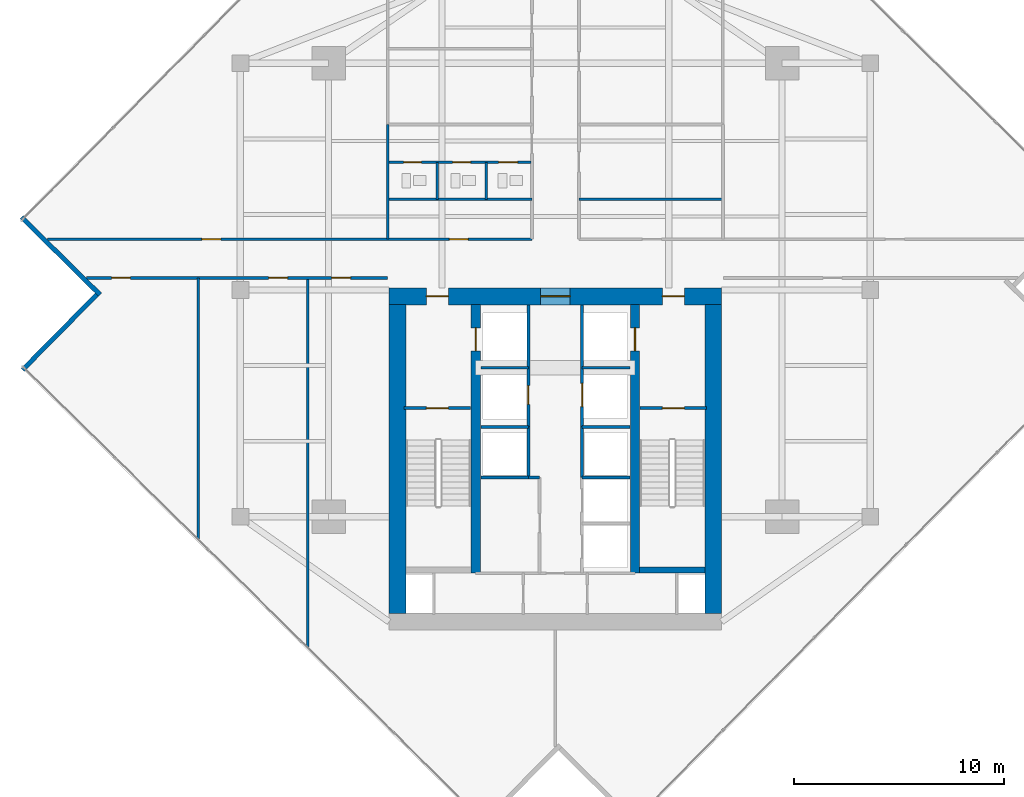
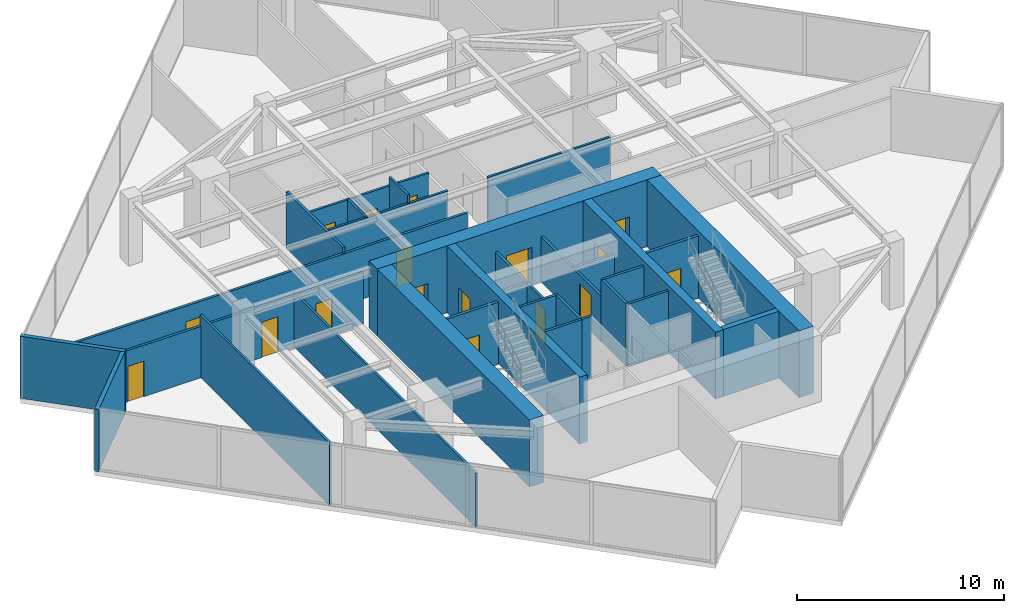
# One storey, part 21 of 24: 31 walls, 17 doors, 17 openings.
"""IFC4 building model written with IfcOpenShell, lengths in metres."""

import ifcopenshell
import ifcopenshell.guid

model = None  # the IFC model being written
_history = None  # IfcOwnerHistory: only IFC2X3 demands one
_inside = {}  # id of a spatial element -> (the spatial element, [elements in it])
_under = {}  # id of a project, library or spatial element -> (it, [spatial elements below it])
_declared = {}  # id of a project -> (the project, [libraries it declares])
_typed = {}  # id of a type object -> (the type object, [elements of that type])
_made_of = {}  # id of a material, layer set ... -> (it, [elements and type objects made of it])


def new_model(schema):
    """Start an empty IFC model of exactly this schema.

    Asked for "IFC4X3", IfcOpenShell would pick the latest addendum, in which some entities
    have other attributes; the version numbers below select the first issue.
    IFC2X3 requires an IfcOwnerHistory on every rooted entity: one is made here for all.
    """
    global model, _history
    if schema == "IFC4X3":
        model = ifcopenshell.file(schema_version=(4, 3, 0, 0))
    else:
        model = ifcopenshell.file(schema=schema)
    _inside.clear()
    _under.clear()
    _declared.clear()
    _typed.clear()
    _made_of.clear()
    _history = None
    if model.schema == "IFC2X3":
        org = make("IfcOrganization", Name="unknown")
        user = make(
            "IfcPersonAndOrganization",
            ThePerson=make("IfcPerson", FamilyName="unknown"),
            TheOrganization=org,
        )
        app = make(
            "IfcApplication",
            ApplicationDeveloper=org,
            Version="unknown",
            ApplicationFullName="unknown",
            ApplicationIdentifier="unknown",
        )
        _history = make(
            "IfcOwnerHistory",
            OwningUser=user,
            OwningApplication=app,
            ChangeAction="ADDED",
            CreationDate=0,
        )
    return model


def make(cls, **values):
    """One entity of the class cls with the attributes given. An attribute that is None is left unset."""
    return model.create_entity(
        cls, **{name: value for name, value in values.items() if value is not None}
    )


def rooted(cls, **values):
    """An entity with a GlobalId (a new one), such as an element, a storey or a relation."""
    return make(cls, GlobalId=ifcopenshell.guid.new(), OwnerHistory=_history, **values)


def si_unit(unit_type, name, prefix=None):
    """IfcSIUnit, for example si_unit("LENGTHUNIT", "METRE", prefix="MILLI")."""
    return make("IfcSIUnit", UnitType=unit_type, Prefix=prefix, Name=name)


def assignment(units):
    """IfcUnitAssignment: the units of a project."""
    return None if units is None else make("IfcUnitAssignment", Units=units)


def point(xyz):
    """IfcCartesianPoint."""
    return None if xyz is None else make("IfcCartesianPoint", Coordinates=xyz)


def direction(xyz):
    """IfcDirection."""
    return None if xyz is None else make("IfcDirection", DirectionRatios=xyz)


def frame(location, z_axis=None, x_axis=None):
    """IfcAxis2Placement3D, a coordinate frame: its origin and axes. An axis left out is left unset."""
    return make(
        "IfcAxis2Placement3D",
        Location=point(location),
        Axis=direction(z_axis),
        RefDirection=direction(x_axis),
    )


def frame_2d(location, x_axis=None):
    """IfcAxis2Placement2D, a coordinate frame in the plane: its origin and x axis."""
    return make(
        "IfcAxis2Placement2D", Location=point(location), RefDirection=direction(x_axis)
    )


def origin():
    """The frame at (0, 0, 0) with its axes left unset."""
    return frame((0.0, 0.0, 0.0))


def place(relative_to, where):
    """IfcLocalPlacement: puts the frame where relative to a parent placement (None: the world)."""
    return make(
        "IfcLocalPlacement", PlacementRelTo=relative_to, RelativePlacement=where
    )


def context(
    kind, dimensions, precision=None, world=None, true_north=None, identifier=None
):
    """IfcGeometricRepresentationContext, for example the 3D "Model" context."""
    return make(
        "IfcGeometricRepresentationContext",
        ContextIdentifier=identifier,
        ContextType=kind,
        CoordinateSpaceDimension=dimensions,
        Precision=precision,
        WorldCoordinateSystem=world,
        TrueNorth=true_north,
    )


def subcontext(parent, identifier, kind, view, scale=None):
    """IfcGeometricRepresentationSubContext, for example "Body" below "Model"."""
    return make(
        "IfcGeometricRepresentationSubContext",
        ContextIdentifier=identifier,
        ContextType=kind,
        ParentContext=parent,
        TargetScale=scale,
        TargetView=view,
    )


def project(units=None, contexts=None):
    """IfcProject with its units and contexts."""
    return rooted(
        "IfcProject",
        Name="project",
        RepresentationContexts=contexts,
        UnitsInContext=assignment(units),
    )


def spatial(cls, under=None, at=None, **own):
    """A site, building, storey or space (cls), placed at a placement, below another one or the project."""
    s = rooted(cls, ObjectPlacement=at, **own)
    if under is not None:
        _under.setdefault(under.id(), (under, []))[1].append(s)
    return s


def profile(cls, at=None, kind="AREA", **sizes):
    """A parametric profile (cls). Its sizes go by their IFC names, for example OverallWidth=200.0."""
    return make(cls, ProfileType=kind, Position=at, **sizes)


def rectangle(**sizes):
    """IfcRectangleProfileDef."""
    return profile("IfcRectangleProfileDef", **sizes)


def extrude(swept, where, along, depth):
    """IfcExtrudedAreaSolid: the profile swept, set in the frame where, extruded along a direction by depth."""
    return make(
        "IfcExtrudedAreaSolid",
        SweptArea=swept,
        Position=where,
        ExtrudedDirection=direction(along),
        Depth=depth,
    )


def shape(context_of_items, identifier, shape_type, items):
    """IfcShapeRepresentation: the items that make up one representation, for example the "Body"."""
    return make(
        "IfcShapeRepresentation",
        ContextOfItems=context_of_items,
        RepresentationIdentifier=identifier,
        RepresentationType=shape_type,
        Items=items,
    )


def material(Name=None, Category=None):
    """IfcMaterial."""
    return make("IfcMaterial", Name=Name, Category=Category)


def layer(
    of_material, thickness, ventilated=None, Name=None, Category=None, Priority=None
):
    """IfcMaterialLayer: one layer of a wall or slab, of a material (None: an air gap)."""
    return make(
        "IfcMaterialLayer",
        Material=of_material,
        LayerThickness=thickness,
        IsVentilated=ventilated,
        Name=Name,
        Category=Category,
        Priority=Priority,
    )


def layer_set(layers, Name=None):
    """IfcMaterialLayerSet."""
    return make("IfcMaterialLayerSet", MaterialLayers=layers, LayerSetName=Name)


def made_of(thing, what):
    """Note that an element or type object is made of a material, layer set ...; save() writes the relation."""
    if what is not None:
        _made_of.setdefault(what.id(), (what, []))[1].append(thing)
    return thing


def type_object(cls, material=None, **own):
    """A type object (cls), such as IfcWallType, which elements share."""
    return made_of(rooted(cls, **own), material)


def element(
    cls,
    number,
    at=None,
    inside=None,
    cuts=None,
    type_object=None,
    material=None,
    context=None,
    identifier="Body",
    shape_type=None,
    held_by="IfcProductDefinitionShape",
    body=None,
    shapes=None,
    **own,
):
    """One element of the class cls, such as IfcWall. Its Tag is "e" and its number.

    at: its placement. inside: the storey or other place that contains it. cuts: it is an
    opening in that element (IfcRelVoidsElement). A single representation is given by context,
    identifier, shape_type and body (its items); several are given by shapes. held_by: the class
    of the entity that holds the representations. save() writes the other relations.
    """
    e = rooted(cls, Tag="e%d" % number, ObjectPlacement=at, **own)
    if body is not None:
        shapes = [shape(context, identifier, shape_type, body)]
    if shapes is not None:
        e.Representation = make(held_by, Representations=shapes)
    if inside is not None:
        _inside.setdefault(inside.id(), (inside, []))[1].append(e)
    if cuts is not None:
        rooted(
            "IfcRelVoidsElement", RelatingBuildingElement=cuts, RelatedOpeningElement=e
        )
    if type_object is not None:
        _typed.setdefault(type_object.id(), (type_object, []))[1].append(e)
    return made_of(e, material)


def fill(opening, filler):
    """IfcRelFillsElement: the door or window that sits in an opening."""
    return rooted(
        "IfcRelFillsElement",
        RelatingOpeningElement=opening,
        RelatedBuildingElement=filler,
    )


def aggregate(whole, parts):
    """IfcRelAggregates: a whole, such as a stair, and the parts it consists of."""
    return rooted("IfcRelAggregates", RelatingObject=whole, RelatedObjects=parts)


def save(model, path):
    """Write the relations noted so far, then the file.

    IfcRelAggregates (storeys below a building ...), IfcRelContainedInSpatialStructure (elements
    in a storey), IfcRelDefinesByType, IfcRelAssociatesMaterial and IfcRelDeclares: one each for
    every whole, place, type object, material and project.
    """
    for whole, parts in _under.values():
        aggregate(whole, parts)
    for where, things in _inside.values():
        rooted(
            "IfcRelContainedInSpatialStructure",
            RelatedElements=things,
            RelatingStructure=where,
        )
    for kind, things in _typed.values():
        rooted("IfcRelDefinesByType", RelatedObjects=things, RelatingType=kind)
    for what, things in _made_of.values():
        rooted("IfcRelAssociatesMaterial", RelatedObjects=things, RelatingMaterial=what)
    for by, libraries in _declared.values():
        rooted("IfcRelDeclares", RelatingContext=by, RelatedDefinitions=libraries)
    model.write(path)


model = new_model("IFC4")

# Units and contexts
model_context = context("Model", 3, precision=1e-05, world=origin(), true_north=direction((0.0, 1.0)))
body_context = subcontext(model_context, "Body", "Model", "MODEL_VIEW")
ifc_project = project(units=[si_unit("LENGTHUNIT", "METRE"), si_unit("AREAUNIT", "SQUARE_METRE"), si_unit("VOLUMEUNIT", "CUBIC_METRE"), si_unit("PLANEANGLEUNIT", "RADIAN"), si_unit("MASSUNIT", "GRAM", prefix="KILO")], contexts=[model_context])

# Site, building, storey
site_placement = place(None, origin())
site = spatial("IfcSite", under=ifc_project, at=site_placement, CompositionType="ELEMENT")
building_placement = place(site_placement, origin())
building = spatial("IfcBuilding", under=site, at=building_placement, Name="Krantzveldt Concourse Tower", CompositionType="ELEMENT")
storey_placement = place(building_placement, frame((0.0, 0.0, 234.949951171875)))
storey = spatial("IfcBuildingStorey", under=building, at=storey_placement, Name="L57", CompositionType="ELEMENT", Elevation=234.949951171875)

# Walls
ifc_material_1 = material(Name="Anodised aluminium 6063-T6", Category="aluminium")
ifc_layer_1 = layer(ifc_material_1, 0.219970703125, Name="Anodised aluminium 6063-T6", Category="aluminium")
ifc_layer_set_1 = layer_set([ifc_layer_1], Name="Anodised aluminium 6063-T6 (WL-EXT-NOTCH220)")
wall_type_1 = type_object("IfcWallType", Name="WL-EXT-NOTCH220", PredefinedType="ELEMENTEDWALL", material=ifc_layer_set_1)
wall_1_placement = place(storey_placement, frame((10.5810546875, 30.164794921875, 0.0), z_axis=(0.0, 0.0, 1.0), x_axis=(0.711699894533, -0.702483636906, 0.0)))
element("IfcWall", 1, at=wall_1_placement, inside=storey, type_object=wall_type_1, Name="EW-L57-NCH02", PredefinedType="ELEMENTEDWALL", context=body_context, shape_type="SweptSolid", body=[
    extrude(rectangle(XDim=5.2451171875, YDim=0.219970703125, at=frame_2d((2.62255859375, 0.0))), origin(), (0.0, 0.0, 1.0), 3.670166015625),
])
wall_2_placement = place(storey_placement, frame((14.158447265625, 26.479248046875, 0.0), z_axis=(0.0, 0.0, 1.0), x_axis=(-0.702451626199, -0.711731489292, 0.0)))
element("IfcWall", 2, at=wall_2_placement, inside=storey, type_object=wall_type_1, Name="EW-L57-NCH03", PredefinedType="ELEMENTEDWALL", context=body_context, shape_type="SweptSolid", body=[
    extrude(rectangle(XDim=5.02490234375, YDim=0.219970703125, at=frame_2d((2.512451171875, 0.0))), origin(), (0.0, 0.0, 1.0), 3.670166015625),
])
ifc_material_2 = material(Name="Fire-rated gypsum plasterboard on steel stud", Category="steel")
ifc_layer_2 = layer(ifc_material_2, 0.1201171875, Name="Fire-rated gypsum plasterboard on steel stud", Category="steel")
ifc_layer_set_2 = layer_set([ifc_layer_2], Name="Fire-rated gypsum plasterboard on steel stud (WL-PART-120)")
wall_type_2 = type_object("IfcWallType", Name="WL-PART-120", PredefinedType="PARTITIONING", material=ifc_layer_set_2)
for number, where, z_axis, x_axis, name in (
    (3, (28.02001953125, 31.02001953125, 0.0), (0.0, 0.0, 1.0), (1.0, 0.0, 0.0), "WP-L57-ISML"),
    (4, (37.1201171875, 31.02001953125, 0.0), (0.0, 0.0, 1.0), (1.0, 0.0, 0.0), "WP-L57-ISMR"),
):
    element("IfcWall", number, at=place(storey_placement, frame(where, z_axis=z_axis, x_axis=x_axis)), inside=storey, type_object=wall_type_2, Name=name, PredefinedType="PARTITIONING", context=body_context, shape_type="SweptSolid", body=[
        extrude(rectangle(XDim=6.85986328125, YDim=0.1201171875, at=frame_2d((3.429931640625, 0.0))), origin(), (0.0, 0.0, 1.0), 3.179931640625),
    ])

# Wall, openings, doors
wall_3_placement = place(storey_placement, frame((28.050048828125, 32.780029296875, 0.0), z_axis=(0.0, 0.0, 1.0), x_axis=(1.0, 0.0, 0.0)))
wall_3 = element("IfcWall", 5, at=wall_3_placement, inside=storey, type_object=wall_type_2, Name="WP-L57-WCHDR", PredefinedType="PARTITIONING", context=body_context, shape_type="SweptSolid", body=[
    extrude(rectangle(XDim=6.800048828125, YDim=0.1201171875, at=frame_2d((3.39990234375, 0.0))), origin(), (0.0, 0.0, 1.0), 3.179931640625),
])
opening_1_placement = place(wall_3_placement, frame((0.72509765625, 0.0, 0.0)))
opening_1 = element("IfcOpeningElement", 6, at=opening_1_placement, cuts=wall_3, Name="Opening D-IN085", PredefinedType="OPENING", context=body_context, shape_type="SweptSolid", body=[
    extrude(rectangle(XDim=0.85009765625, YDim=2.10009765625, at=frame_2d((0.425048828125, 1.050048828125))), frame((0.0, 0.070068359375, 0.0), z_axis=(0.0, -1.0, 0.0), x_axis=(1.0, 0.0, 0.0)), (0.0, 0.0, 1.0), 0.14013671875),
])
opening_2_placement = place(wall_3_placement, frame((3.06494140625, 0.0, 0.0)))
opening_2 = element("IfcOpeningElement", 7, at=opening_2_placement, cuts=wall_3, Name="Opening D-IN085", PredefinedType="OPENING", context=body_context, shape_type="SweptSolid", body=[
    extrude(rectangle(XDim=0.85009765625, YDim=2.10009765625, at=frame_2d((0.425048828125, 1.050048828125))), frame((0.0, 0.070068359375, 0.0), z_axis=(0.0, -1.0, 0.0), x_axis=(1.0, 0.0, 0.0)), (0.0, 0.0, 1.0), 0.14013671875),
])
opening_3_placement = place(wall_3_placement, frame((5.25, 0.0, 0.0)))
opening_3 = element("IfcOpeningElement", 8, at=opening_3_placement, cuts=wall_3, Name="Opening D-IN090", PredefinedType="OPENING", context=body_context, shape_type="SweptSolid", body=[
    extrude(rectangle(XDim=0.89990234375, YDim=2.10009765625, at=frame_2d((0.449951171875, 1.050048828125))), frame((0.0, 0.070068359375, 0.0), z_axis=(0.0, -1.0, 0.0), x_axis=(1.0, 0.0, 0.0)), (0.0, 0.0, 1.0), 0.14013671875),
])
ifc_material_3 = material(Name="Hardwood timber", Category="wood")
door_type_1 = type_object("IfcDoorType", Name="DR-INT-850", OperationType="SINGLE_SWING_LEFT", PredefinedType="DOOR", material=ifc_material_3)
door_1_placement = place(opening_1_placement, origin())
door_1 = element("IfcDoor", 9, at=door_1_placement, inside=storey, type_object=door_type_1, Name="DR-L57-WCM", OperationType="SINGLE_SWING_LEFT", OverallHeight=2.10009765625, OverallWidth=0.85009765625, PredefinedType="DOOR", context=body_context, shape_type="SweptSolid", body=[
    extrude(rectangle(XDim=0.85009765625, YDim=2.10009765625, at=frame_2d((0.425048828125, 1.050048828125))), frame((0.0, 0.02490234375, 0.0), z_axis=(0.0, -1.0, 0.0), x_axis=(1.0, 0.0, 0.0)), (0.0, 0.0, 1.0), 0.050048828125),
])
fill(opening_1, door_1)
door_2_placement = place(opening_2_placement, origin())
door_2 = element("IfcDoor", 10, at=door_2_placement, inside=storey, type_object=door_type_1, Name="DR-L57-WCF", OperationType="SINGLE_SWING_RIGHT", OverallHeight=2.10009765625, OverallWidth=0.85009765625, PredefinedType="DOOR", context=body_context, shape_type="SweptSolid", body=[
    extrude(rectangle(XDim=0.85009765625, YDim=2.10009765625, at=frame_2d((0.425048828125, 1.050048828125))), frame((0.0, 0.02490234375, 0.0), z_axis=(0.0, -1.0, 0.0), x_axis=(1.0, 0.0, 0.0)), (0.0, 0.0, 1.0), 0.050048828125),
])
fill(opening_2, door_2)
door_type_2 = type_object("IfcDoorType", Name="DR-INT-900", OperationType="SINGLE_SWING_LEFT", PredefinedType="DOOR", material=ifc_material_3)
door_3_placement = place(opening_3_placement, origin())
door_3 = element("IfcDoor", 11, at=door_3_placement, inside=storey, type_object=door_type_2, Name="DR-L57-WCA", OperationType="SINGLE_SWING_LEFT", OverallHeight=2.10009765625, OverallWidth=0.89990234375, PredefinedType="DOOR", context=body_context, shape_type="SweptSolid", body=[
    extrude(rectangle(XDim=0.89990234375, YDim=2.10009765625, at=frame_2d((0.449951171875, 1.050048828125))), frame((0.0, 0.02490234375, 0.0), z_axis=(0.0, -1.0, 0.0), x_axis=(1.0, 0.0, 0.0)), (0.0, 0.0, 1.0), 0.050048828125),
])
fill(opening_3, door_3)

# Walls
wall_4_placement = place(storey_placement, frame((30.3701171875, 31.02001953125, 0.0), z_axis=(0.0, 0.0, 1.0), x_axis=(0.0, 1.0, 0.0)))
element("IfcWall", 12, at=wall_4_placement, inside=storey, type_object=wall_type_2, Name="WP-L57-WCD1", PredefinedType="PARTITIONING", context=body_context, shape_type="SweptSolid", body=[
    extrude(rectangle(XDim=1.760009765625, YDim=0.1201171875, at=frame_2d((0.8798828125, 0.0))), origin(), (0.0, 0.0, 1.0), 3.179931640625),
])
wall_5_placement = place(storey_placement, frame((32.7099609375, 31.02001953125, 0.0), z_axis=(0.0, 0.0, 1.0), x_axis=(0.0, 1.0, 0.0)))
element("IfcWall", 13, at=wall_5_placement, inside=storey, type_object=wall_type_2, Name="WP-L57-WCD2", PredefinedType="PARTITIONING", context=body_context, shape_type="SweptSolid", body=[
    extrude(rectangle(XDim=1.760009765625, YDim=0.1201171875, at=frame_2d((0.8798828125, 0.0))), origin(), (0.0, 0.0, 1.0), 3.670166015625),
])
wall_6_placement = place(storey_placement, frame((19.0, 14.802001953125, 0.0), z_axis=(0.0, 0.0, 1.0), x_axis=(0.0, 1.0, 0.0)))
element("IfcWall", 14, at=wall_6_placement, inside=storey, type_object=wall_type_2, Name="WP-L57-SWX1", PredefinedType="PARTITIONING", context=body_context, shape_type="SweptSolid", body=[
    extrude(rectangle(XDim=12.47802734375, YDim=0.1201171875, at=frame_2d((6.239013671875, 0.0))), origin(), (0.0, 0.0, 1.0), 3.670166015625),
])
wall_7_placement = place(storey_placement, frame((24.199951171875, 9.66943359375, 0.0), z_axis=(0.0, 0.0, 1.0), x_axis=(0.0, 1.0, 0.0)))
element("IfcWall", 15, at=wall_7_placement, inside=storey, type_object=wall_type_2, Name="WP-L57-SWX2", PredefinedType="PARTITIONING", context=body_context, shape_type="SweptSolid", body=[
    extrude(rectangle(XDim=17.610595703125, YDim=0.1201171875, at=frame_2d((8.80517578125, 0.0))), origin(), (0.0, 0.0, 1.0), 3.179931640625),
])

# Wall, openings, doors
ifc_layer_3 = layer(ifc_material_2, 0.139892578125, Name="Fire-rated gypsum plasterboard on steel stud", Category="steel")
ifc_layer_set_3 = layer_set([ifc_layer_3], Name="Fire-rated gypsum plasterboard on steel stud (WL-PART-140)")
wall_type_3 = type_object("IfcWallType", Name="WL-PART-140", PredefinedType="PARTITIONING", material=ifc_layer_set_3)
wall_8_placement = place(storey_placement, frame((11.80322265625, 29.1201171875, 0.0), z_axis=(0.0, 0.0, 1.0), x_axis=(1.0, 0.0, 0.0)))
wall_8 = element("IfcWall", 16, at=wall_8_placement, inside=storey, type_object=wall_type_3, Name="WP-L57-EWNL", PredefinedType="PARTITIONING", context=body_context, shape_type="SweptSolid", body=[
    extrude(rectangle(XDim=23.07666015625, YDim=0.139892578125, at=frame_2d((11.538330078125, 0.0))), origin(), (0.0, 0.0, 1.0), 3.030029296875),
])
opening_4_placement = place(wall_8_placement, frame((19.146728515625, 0.0, 0.0)))
opening_4 = element("IfcOpeningElement", 17, at=opening_4_placement, cuts=wall_8, Name="Opening D-IN090", PredefinedType="OPENING", context=body_context, shape_type="SweptSolid", body=[
    extrude(rectangle(XDim=0.89990234375, YDim=2.10009765625, at=frame_2d((0.449951171875, 1.050048828125))), frame((0.0, 0.080078125, 0.0), z_axis=(0.0, -1.0, 0.0), x_axis=(1.0, 0.0, 0.0)), (0.0, 0.0, 1.0), 0.159912109375),
])
opening_5_placement = place(wall_8_placement, frame((7.36279296875, 0.0, 0.0)))
opening_5 = element("IfcOpeningElement", 18, at=opening_5_placement, cuts=wall_8, Name="Opening D-IN090", PredefinedType="OPENING", context=body_context, shape_type="SweptSolid", body=[
    extrude(rectangle(XDim=0.89990234375, YDim=2.10009765625, at=frame_2d((0.449951171875, 1.050048828125))), frame((0.0, 0.080078125, 0.0), z_axis=(0.0, -1.0, 0.0), x_axis=(1.0, 0.0, 0.0)), (0.0, 0.0, 1.0), 0.159912109375),
])
door_4_placement = place(opening_4_placement, origin())
door_4 = element("IfcDoor", 19, at=door_4_placement, inside=storey, type_object=door_type_2, Name="DR-L57-ALCL", OperationType="SINGLE_SWING_LEFT", OverallHeight=2.10009765625, OverallWidth=0.89990234375, PredefinedType="DOOR", context=body_context, shape_type="SweptSolid", body=[
    extrude(rectangle(XDim=0.89990234375, YDim=2.10009765625, at=frame_2d((0.449951171875, 1.050048828125))), frame((0.0, 0.02490234375, 0.0), z_axis=(0.0, -1.0, 0.0), x_axis=(1.0, 0.0, 0.0)), (0.0, 0.0, 1.0), 0.050048828125),
])
fill(opening_4, door_4)
door_5_placement = place(opening_5_placement, origin())
door_5 = element("IfcDoor", 20, at=door_5_placement, inside=storey, type_object=door_type_2, Name="DR-L57-NWX1", OperationType="SINGLE_SWING_LEFT", OverallHeight=2.10009765625, OverallWidth=0.89990234375, PredefinedType="DOOR", context=body_context, shape_type="SweptSolid", body=[
    extrude(rectangle(XDim=0.89990234375, YDim=2.10009765625, at=frame_2d((0.449951171875, 1.050048828125))), frame((0.0, 0.02490234375, 0.0), z_axis=(0.0, -1.0, 0.0), x_axis=(1.0, 0.0, 0.0)), (0.0, 0.0, 1.0), 0.050048828125),
])
fill(opening_5, door_5)

wall_9_placement = place(storey_placement, frame((13.66748046875, 27.280029296875, 0.0), z_axis=(0.0, 0.0, 1.0), x_axis=(1.0, 0.0, 0.0)))
wall_9 = element("IfcWall", 21, at=wall_9_placement, inside=storey, type_object=wall_type_3, Name="WP-L57-EWSL", PredefinedType="PARTITIONING", context=body_context, shape_type="SweptSolid", body=[
    extrude(rectangle(XDim=14.33251953125, YDim=0.139892578125, at=frame_2d((7.166259765625, 0.0))), origin(), (0.0, 0.0, 1.0), 3.030029296875),
])
opening_6_placement = place(wall_9_placement, frame((1.198486328125, 0.0, 0.0)))
opening_6 = element("IfcOpeningElement", 22, at=opening_6_placement, cuts=wall_9, Name="Opening D-IN090", PredefinedType="OPENING", context=body_context, shape_type="SweptSolid", body=[
    extrude(rectangle(XDim=0.89990234375, YDim=2.10009765625, at=frame_2d((0.449951171875, 1.050048828125))), frame((0.0, 0.080078125, 0.0), z_axis=(0.0, -1.0, 0.0), x_axis=(1.0, 0.0, 0.0)), (0.0, 0.0, 1.0), 0.159912109375),
])
opening_7_placement = place(wall_9_placement, frame((8.6826171875, 0.0, 0.0)))
opening_7 = element("IfcOpeningElement", 23, at=opening_7_placement, cuts=wall_9, Name="Opening D-IN090", PredefinedType="OPENING", context=body_context, shape_type="SweptSolid", body=[
    extrude(rectangle(XDim=0.89990234375, YDim=2.10009765625, at=frame_2d((0.449951171875, 1.050048828125))), frame((0.0, 0.080078125, 0.0), z_axis=(0.0, -1.0, 0.0), x_axis=(1.0, 0.0, 0.0)), (0.0, 0.0, 1.0), 0.159912109375),
])
opening_8_placement = place(wall_9_placement, frame((11.6826171875, 0.0, 0.0)))
opening_8 = element("IfcOpeningElement", 24, at=opening_8_placement, cuts=wall_9, Name="Opening D-IN090", PredefinedType="OPENING", context=body_context, shape_type="SweptSolid", body=[
    extrude(rectangle(XDim=0.89990234375, YDim=2.10009765625, at=frame_2d((0.449951171875, 1.050048828125))), frame((0.0, 0.080078125, 0.0), z_axis=(0.0, -1.0, 0.0), x_axis=(1.0, 0.0, 0.0)), (0.0, 0.0, 1.0), 0.159912109375),
])
door_6_placement = place(opening_6_placement, origin())
door_6 = element("IfcDoor", 25, at=door_6_placement, inside=storey, type_object=door_type_2, Name="DR-L57-SWX1", OperationType="SINGLE_SWING_LEFT", OverallHeight=2.10009765625, OverallWidth=0.89990234375, PredefinedType="DOOR", context=body_context, shape_type="SweptSolid", body=[
    extrude(rectangle(XDim=0.89990234375, YDim=2.10009765625, at=frame_2d((0.449951171875, 1.050048828125))), frame((0.0, 0.02490234375, 0.0), z_axis=(0.0, -1.0, 0.0), x_axis=(1.0, 0.0, 0.0)), (0.0, 0.0, 1.0), 0.050048828125),
])
fill(opening_6, door_6)
door_7_placement = place(opening_7_placement, origin())
door_7 = element("IfcDoor", 26, at=door_7_placement, inside=storey, type_object=door_type_2, Name="DR-L57-SWX2", OperationType="SINGLE_SWING_LEFT", OverallHeight=2.10009765625, OverallWidth=0.89990234375, PredefinedType="DOOR", context=body_context, shape_type="SweptSolid", body=[
    extrude(rectangle(XDim=0.89990234375, YDim=2.10009765625, at=frame_2d((0.449951171875, 1.050048828125))), frame((0.0, 0.02490234375, 0.0), z_axis=(0.0, -1.0, 0.0), x_axis=(1.0, 0.0, 0.0)), (0.0, 0.0, 1.0), 0.050048828125),
])
fill(opening_7, door_7)
door_8_placement = place(opening_8_placement, origin())
door_8 = element("IfcDoor", 27, at=door_8_placement, inside=storey, type_object=door_type_2, Name="DR-L57-SWX3", OperationType="SINGLE_SWING_LEFT", OverallHeight=2.10009765625, OverallWidth=0.89990234375, PredefinedType="DOOR", context=body_context, shape_type="SweptSolid", body=[
    extrude(rectangle(XDim=0.89990234375, YDim=2.10009765625, at=frame_2d((0.449951171875, 1.050048828125))), frame((0.0, 0.02490234375, 0.0), z_axis=(0.0, -1.0, 0.0), x_axis=(1.0, 0.0, 0.0)), (0.0, 0.0, 1.0), 0.050048828125),
])
fill(opening_8, door_8)

# Wall
wall_10_placement = place(storey_placement, frame((28.02001953125, 29.1201171875, 0.0), z_axis=(0.0, 0.0, 1.0), x_axis=(0.0, 1.0, 0.0)))
element("IfcWall", 28, at=wall_10_placement, inside=storey, type_object=wall_type_3, Name="WP-L57-ISWL", PredefinedType="PARTITIONING", context=body_context, shape_type="SweptSolid", body=[
    extrude(rectangle(XDim=5.4599609375, YDim=0.139892578125, at=frame_2d((2.72998046875, 0.0))), origin(), (0.0, 0.0, 1.0), 3.3701171875),
])

# Wall, opening, door
ifc_layer_4 = layer(ifc_material_2, 0.139892578125, Name="Fire-rated gypsum plasterboard on steel stud", Category="steel")
ifc_layer_set_4 = layer_set([ifc_layer_4], Name="Fire-rated gypsum plasterboard on steel stud (WL-PART-FR140)")
wall_type_4 = type_object("IfcWallType", Name="WL-PART-FR140", PredefinedType="PARTITIONING", material=ifc_layer_set_4)
wall_11_placement = place(storey_placement, frame((34.719970703125, 20.199951171875, 0.0), z_axis=(0.0, 0.0, 1.0), x_axis=(0.0, 1.0, 0.0)))
wall_11 = element("IfcWall", 29, at=wall_11_placement, inside=storey, type_object=wall_type_4, Name="WP-L57-SHNW", PredefinedType="PARTITIONING", context=body_context, shape_type="SweptSolid", body=[
    extrude(rectangle(XDim=5.780029296875, YDim=0.139892578125, at=frame_2d((2.89013671875, 0.0))), origin(), (0.0, 0.0, 1.0), 2.670166015625),
])
opening_9_placement = place(wall_11_placement, frame((1.050048828125, 0.0, 0.0)))
opening_9 = element("IfcOpeningElement", 30, at=opening_9_placement, cuts=wall_11, Name="Opening D-FD090", PredefinedType="OPENING", context=body_context, shape_type="SweptSolid", body=[
    extrude(rectangle(XDim=0.89990234375, YDim=2.10009765625, at=frame_2d((0.449951171875, 1.050048828125))), frame((0.0, 0.080078125, 0.0), z_axis=(0.0, -1.0, 0.0), x_axis=(1.0, 0.0, 0.0)), (0.0, 0.0, 1.0), 0.159912109375),
])
door_type_3 = type_object("IfcDoorType", Name="DR-FD60-900", OperationType="SINGLE_SWING_LEFT", PredefinedType="DOOR", material=ifc_material_3)
door_9_placement = place(opening_9_placement, origin())
door_9 = element("IfcDoor", 31, at=door_9_placement, inside=storey, type_object=door_type_3, Name="Electrical Riser Access Door L57", OperationType="SINGLE_SWING_LEFT", OverallHeight=2.10009765625, OverallWidth=0.89990234375, PredefinedType="DOOR", context=body_context, shape_type="SweptSolid", body=[
    extrude(rectangle(XDim=0.89990234375, YDim=2.10009765625, at=frame_2d((0.449951171875, 1.050048828125))), frame((0.0, 0.02490234375, 0.0), z_axis=(0.0, -1.0, 0.0), x_axis=(1.0, 0.0, 0.0)), (0.0, 0.0, 1.0), 0.050048828125),
])
fill(opening_9, door_9)

wall_12_placement = place(storey_placement, frame((37.280029296875, 20.199951171875, 0.0), z_axis=(0.0, 0.0, 1.0), x_axis=(0.0, 1.0, 0.0)))
wall_12 = element("IfcWall", 32, at=wall_12_placement, inside=storey, type_object=wall_type_4, Name="WP-L57-SHNE", PredefinedType="PARTITIONING", context=body_context, shape_type="SweptSolid", body=[
    extrude(rectangle(XDim=5.780029296875, YDim=0.139892578125, at=frame_2d((2.89013671875, 0.0))), origin(), (0.0, 0.0, 1.0), 2.670166015625),
])
opening_10_placement = place(wall_12_placement, frame((0.949951171875, 0.0, 0.0)))
opening_10 = element("IfcOpeningElement", 33, at=opening_10_placement, cuts=wall_12, Name="Opening LD", PredefinedType="OPENING", context=body_context, shape_type="SweptSolid", body=[
    extrude(rectangle(XDim=1.10009765625, YDim=2.14990234375, at=frame_2d((0.550048828125, 1.074951171875))), frame((0.0, 0.080078125, 0.0), z_axis=(0.0, -1.0, 0.0), x_axis=(1.0, 0.0, 0.0)), (0.0, 0.0, 1.0), 0.159912109375),
])
ifc_material_4 = material(Name="Stainless steel 316L", Category="steel")
door_type_4 = type_object("IfcDoorType", Name="DR-SLIDE-LD1100", OperationType="DOUBLE_DOOR_SLIDING", PredefinedType="DOOR", material=ifc_material_4)
door_10_placement = place(opening_10_placement, origin())
door_10 = element("IfcDoor", 34, at=door_10_placement, inside=storey, type_object=door_type_4, Name="LD-L57-GL1", OperationType="DOUBLE_DOOR_SLIDING", OverallHeight=2.14990234375, OverallWidth=1.10009765625, PredefinedType="DOOR", context=body_context, shape_type="SweptSolid", body=[
    extrude(rectangle(XDim=1.10009765625, YDim=2.14990234375, at=frame_2d((0.550048828125, 1.074951171875))), frame((0.0, 0.02490234375, 0.0), z_axis=(0.0, -1.0, 0.0), x_axis=(1.0, 0.0, 0.0)), (0.0, 0.0, 1.0), 0.050048828125),
])
fill(opening_10, door_10)

# Walls
for number, where, z_axis, x_axis, name in (
    (35, (32.449951171875, 23.0, 0.0), (0.0, 0.0, 1.0), (1.0, 0.0, 0.0), "WP-L57-RISH"),
    (36, (37.280029296875, 23.0, 0.0), (0.0, 0.0, 1.0), (1.0, 0.0, 0.0), "WP-L57-GLH"),
):
    element("IfcWall", number, at=place(storey_placement, frame(where, z_axis=z_axis, x_axis=x_axis)), inside=storey, type_object=wall_type_4, Name=name, PredefinedType="PARTITIONING", context=body_context, shape_type="SweptSolid", body=[
        extrude(rectangle(XDim=2.27001953125, YDim=0.139892578125, at=frame_2d((1.135009765625, 0.0))), origin(), (0.0, 0.0, 1.0), 2.670166015625),
    ])
for number, where, z_axis, x_axis, name in (
    (37, (34.719970703125, 17.780029296875, 0.0), (0.0, 0.0, 1.0), (0.0, 1.0, 0.0), "WP-L57-SHNW2"),
    (38, (37.280029296875, 17.780029296875, 0.0), (0.0, 0.0, 1.0), (0.0, 1.0, 0.0), "WP-L57-SHNE2"),
):
    element("IfcWall", number, at=place(storey_placement, frame(where, z_axis=z_axis, x_axis=x_axis)), inside=storey, type_object=wall_type_4, Name=name, PredefinedType="PARTITIONING", context=body_context, shape_type="SweptSolid", body=[
        extrude(rectangle(XDim=2.419921875, YDim=0.139892578125, at=frame_2d((1.2099609375, 0.0))), origin(), (0.0, 0.0, 1.0), 3.670166015625),
    ])
for number, where, z_axis, x_axis, name in (
    (39, (32.449951171875, 17.780029296875, 0.0), (0.0, 0.0, 1.0), (1.0, 0.0, 0.0), "WP-L57-DIVW2"),
    (40, (32.449951171875, 20.179931640625, 0.0), (0.0, 0.0, 1.0), (1.0, 0.0, 0.0), "WP-L57-DIVW3"),
    (41, (37.280029296875, 17.780029296875, 0.0), (0.0, 0.0, 1.0), (1.0, 0.0, 0.0), "WP-L57-DIVE2"),
    (42, (37.280029296875, 20.179931640625, 0.0), (0.0, 0.0, 1.0), (1.0, 0.0, 0.0), "WP-L57-DIVE3"),
):
    element("IfcWall", number, at=place(storey_placement, frame(where, z_axis=z_axis, x_axis=x_axis)), inside=storey, type_object=wall_type_4, Name=name, PredefinedType="PARTITIONING", context=body_context, shape_type="SweptSolid", body=[
        extrude(rectangle(XDim=2.27001953125, YDim=0.139892578125, at=frame_2d((1.135009765625, 0.0))), origin(), (0.0, 0.0, 1.0), 3.670166015625),
    ])
wall_13_placement = place(storey_placement, frame((34.719970703125, 17.780029296875, 0.0), z_axis=(0.0, 0.0, 1.0), x_axis=(1.0, 0.0, 0.0)))
element("IfcWall", 43, at=wall_13_placement, inside=storey, type_object=wall_type_4, Name="WP-L57-RECWN", PredefinedType="PARTITIONING", context=body_context, shape_type="SweptSolid", body=[
    extrude(rectangle(XDim=0.530029296875, YDim=0.139892578125, at=frame_2d((0.26513671875, 0.0))), origin(), (0.0, 0.0, 1.0), 3.670166015625),
])

# Wall, opening, door
ifc_layer_5 = layer(ifc_material_2, 0.159912109375, Name="Fire-rated gypsum plasterboard on steel stud", Category="steel")
ifc_layer_set_5 = layer_set([ifc_layer_5], Name="Fire-rated gypsum plasterboard on steel stud (WL-PART-FR160)")
wall_type_5 = type_object("IfcWallType", Name="WL-PART-FR160", PredefinedType="PARTITIONING", material=ifc_layer_set_5)
wall_14_placement = place(storey_placement, frame((28.800048828125, 21.080078125, 0.0), z_axis=(0.0, 0.0, 1.0), x_axis=(1.0, 0.0, 0.0)))
wall_14 = element("IfcWall", 44, at=wall_14_placement, inside=storey, type_object=wall_type_5, Name="WP-L57-ST1", PredefinedType="PARTITIONING", context=body_context, shape_type="SweptSolid", body=[
    extrude(rectangle(XDim=3.159912109375, YDim=0.159912109375, at=frame_2d((1.580078125, 0.0))), origin(), (0.0, 0.0, 1.0), 3.670166015625),
])
opening_11_placement = place(wall_14_placement, frame((1.054931640625, 0.0, 0.0)))
opening_11 = element("IfcOpeningElement", 45, at=opening_11_placement, cuts=wall_14, Name="Opening D-FD105", PredefinedType="OPENING", context=body_context, shape_type="SweptSolid", body=[
    extrude(rectangle(XDim=1.050048828125, YDim=2.10009765625, at=frame_2d((0.52490234375, 1.050048828125))), frame((0.0, 0.08984375, 0.0), z_axis=(0.0, -1.0, 0.0), x_axis=(1.0, 0.0, 0.0)), (0.0, 0.0, 1.0), 0.179931640625),
])
ifc_material_5 = material(Name="Galvanised steel", Category="steel")
door_type_5 = type_object("IfcDoorType", Name="DR-FD120-1050", OperationType="SINGLE_SWING_LEFT", PredefinedType="DOOR", material=ifc_material_5)
door_11_placement = place(opening_11_placement, origin())
door_11 = element("IfcDoor", 46, at=door_11_placement, inside=storey, type_object=door_type_5, Name="DR-L57-ST1", OperationType="SINGLE_SWING_RIGHT", OverallHeight=2.10009765625, OverallWidth=1.050048828125, PredefinedType="DOOR", context=body_context, shape_type="SweptSolid", body=[
    extrude(rectangle(XDim=1.050048828125, YDim=2.10009765625, at=frame_2d((0.52490234375, 1.050048828125))), frame((0.0, 0.02490234375, 0.0), z_axis=(0.0, -1.0, 0.0), x_axis=(1.0, 0.0, 0.0)), (0.0, 0.0, 1.0), 0.050048828125),
])
fill(opening_11, door_11)

wall_15_placement = place(storey_placement, frame((40.0400390625, 21.080078125, 0.0), z_axis=(0.0, 0.0, 1.0), x_axis=(1.0, 0.0, 0.0)))
wall_15 = element("IfcWall", 47, at=wall_15_placement, inside=storey, type_object=wall_type_5, Name="WP-L57-ST2", PredefinedType="PARTITIONING", context=body_context, shape_type="SweptSolid", body=[
    extrude(rectangle(XDim=3.159912109375, YDim=0.159912109375, at=frame_2d((1.580078125, 0.0))), origin(), (0.0, 0.0, 1.0), 3.670166015625),
])
opening_12_placement = place(wall_15_placement, frame((1.054931640625, 0.0, 0.0)))
opening_12 = element("IfcOpeningElement", 48, at=opening_12_placement, cuts=wall_15, Name="Opening D-FD105", PredefinedType="OPENING", context=body_context, shape_type="SweptSolid", body=[
    extrude(rectangle(XDim=1.050048828125, YDim=2.10009765625, at=frame_2d((0.52490234375, 1.050048828125))), frame((0.0, 0.08984375, 0.0), z_axis=(0.0, -1.0, 0.0), x_axis=(1.0, 0.0, 0.0)), (0.0, 0.0, 1.0), 0.179931640625),
])
door_12_placement = place(opening_12_placement, origin())
door_12 = element("IfcDoor", 49, at=door_12_placement, inside=storey, type_object=door_type_5, Name="DR-L57-ST2", OperationType="SINGLE_SWING_LEFT", OverallHeight=2.10009765625, OverallWidth=1.050048828125, PredefinedType="DOOR", context=body_context, shape_type="SweptSolid", body=[
    extrude(rectangle(XDim=1.050048828125, YDim=2.10009765625, at=frame_2d((0.52490234375, 1.050048828125))), frame((0.0, 0.02490234375, 0.0), z_axis=(0.0, -1.0, 0.0), x_axis=(1.0, 0.0, 0.0)), (0.0, 0.0, 1.0), 0.050048828125),
])
fill(opening_12, door_12)

# Wall
ifc_material_6 = material(Name="Concrete C50/60", Category="concrete")
ifc_layer_6 = layer(ifc_material_6, 0.300048828125, Name="Concrete C50/60", Category="concrete")
ifc_layer_set_6 = layer_set([ifc_layer_6], Name="Concrete C50/60 (WL-SHEAR-300)")
wall_type_6 = type_object("IfcWallType", Name="WL-SHEAR-300", PredefinedType="SHEAR", material=ifc_layer_set_6)
wall_16_placement = place(storey_placement, frame((40.02001953125, 13.3701171875, 0.0), z_axis=(0.0, 0.0, 1.0), x_axis=(1.0, 0.0, 0.0)))
element("IfcWall", 50, at=wall_16_placement, inside=storey, type_object=wall_type_6, Name="CW-L57-ST2S", PredefinedType="SHEAR", context=body_context, shape_type="SweptSolid", body=[
    extrude(rectangle(XDim=3.10009765625, YDim=0.300048828125, at=frame_2d((1.550048828125, 0.0))), origin(), (0.0, 0.0, 1.0), 3.949951171875),
])

# Wall, opening, door
ifc_layer_7 = layer(ifc_material_6, 0.449951171875, Name="Concrete C50/60", Category="concrete")
ifc_layer_set_7 = layer_set([ifc_layer_7], Name="Concrete C50/60 (WL-SHEAR-450)")
wall_type_7 = type_object("IfcWallType", Name="WL-SHEAR-450", PredefinedType="SHEAR", material=ifc_layer_set_7)
wall_17_placement = place(storey_placement, frame((32.205078125, 13.219970703125, 0.0), z_axis=(0.0, 0.0, 1.0), x_axis=(0.0, 1.0, 0.0)))
wall_17 = element("IfcWall", 51, at=wall_17_placement, inside=storey, type_object=wall_type_7, Name="CW-L57-IW", PredefinedType="SHEAR", context=body_context, shape_type="SweptSolid", body=[
    extrude(rectangle(XDim=12.780029296875, YDim=0.449951171875, at=frame_2d((6.39013671875, 0.0))), origin(), (0.0, 0.0, 1.0), 3.949951171875),
])
opening_13_placement = place(wall_17_placement, frame((10.580078125, 0.0, 0.0)))
opening_13 = element("IfcOpeningElement", 52, at=opening_13_placement, cuts=wall_17, Name="Opening LD", PredefinedType="OPENING", context=body_context, shape_type="SweptSolid", body=[
    extrude(rectangle(XDim=1.10009765625, YDim=2.14990234375, at=frame_2d((0.550048828125, 1.074951171875))), frame((0.0, 0.23486328125, 0.0), z_axis=(0.0, -1.0, 0.0), x_axis=(1.0, 0.0, 0.0)), (0.0, 0.0, 1.0), 0.469970703125),
])
door_13_placement = place(opening_13_placement, origin())
door_13 = element("IfcDoor", 53, at=door_13_placement, inside=storey, type_object=door_type_4, Name="LD-L57-FL1", OperationType="DOUBLE_DOOR_SLIDING", OverallHeight=2.14990234375, OverallWidth=1.10009765625, PredefinedType="DOOR", context=body_context, shape_type="SweptSolid", body=[
    extrude(rectangle(XDim=1.10009765625, YDim=2.14990234375, at=frame_2d((0.550048828125, 1.074951171875))), frame((0.0, 0.02490234375, 0.0), z_axis=(0.0, -1.0, 0.0), x_axis=(1.0, 0.0, 0.0)), (0.0, 0.0, 1.0), 0.050048828125),
])
fill(opening_13, door_13)

wall_18_placement = place(storey_placement, frame((39.794921875, 13.219970703125, 0.0), z_axis=(0.0, 0.0, 1.0), x_axis=(0.0, 1.0, 0.0)))
wall_18 = element("IfcWall", 54, at=wall_18_placement, inside=storey, type_object=wall_type_7, Name="CW-L57-IE", PredefinedType="SHEAR", context=body_context, shape_type="SweptSolid", body=[
    extrude(rectangle(XDim=12.780029296875, YDim=0.449951171875, at=frame_2d((6.39013671875, 0.0))), origin(), (0.0, 0.0, 1.0), 3.949951171875),
])
opening_14_placement = place(wall_18_placement, frame((10.580078125, 0.0, 0.0)))
opening_14 = element("IfcOpeningElement", 55, at=opening_14_placement, cuts=wall_18, Name="Opening LD", PredefinedType="OPENING", context=body_context, shape_type="SweptSolid", body=[
    extrude(rectangle(XDim=1.10009765625, YDim=2.14990234375, at=frame_2d((0.550048828125, 1.074951171875))), frame((0.0, 0.23486328125, 0.0), z_axis=(0.0, -1.0, 0.0), x_axis=(1.0, 0.0, 0.0)), (0.0, 0.0, 1.0), 0.469970703125),
])
door_14_placement = place(opening_14_placement, origin())
door_14 = element("IfcDoor", 56, at=door_14_placement, inside=storey, type_object=door_type_4, Name="LD-L57-FL2", OperationType="DOUBLE_DOOR_SLIDING", OverallHeight=2.14990234375, OverallWidth=1.10009765625, PredefinedType="DOOR", context=body_context, shape_type="SweptSolid", body=[
    extrude(rectangle(XDim=1.10009765625, YDim=2.14990234375, at=frame_2d((0.550048828125, 1.074951171875))), frame((0.0, 0.02490234375, 0.0), z_axis=(0.0, -1.0, 0.0), x_axis=(1.0, 0.0, 0.0)), (0.0, 0.0, 1.0), 0.050048828125),
])
fill(opening_14, door_14)

# Wall, openings, doors
ifc_material_7 = material(Name="Concrete C60/75", Category="concrete")
ifc_layer_8 = layer(ifc_material_7, 0.800048828125, Name="Concrete C60/75", Category="concrete")
ifc_layer_set_8 = layer_set([ifc_layer_8], Name="Concrete C60/75 (WL-SHEAR-800)")
wall_type_8 = type_object("IfcWallType", Name="WL-SHEAR-800", PredefinedType="SHEAR", material=ifc_layer_set_8)
wall_19_placement = place(storey_placement, frame((28.080078125, 26.39990234375, 0.0), z_axis=(0.0, 0.0, 1.0), x_axis=(1.0, 0.0, 0.0)))
wall_19 = element("IfcWall", 57, at=wall_19_placement, inside=storey, type_object=wall_type_8, Name="CW-L57-N", PredefinedType="SHEAR", context=body_context, shape_type="SweptSolid", body=[
    extrude(rectangle(XDim=15.83984375, YDim=0.800048828125, at=frame_2d((7.919921875, 0.0))), origin(), (0.0, 0.0, 1.0), 3.949951171875),
])
opening_15_placement = place(wall_19_placement, frame((7.219970703125, 0.0, 0.0)))
opening_15 = element("IfcOpeningElement", 58, at=opening_15_placement, cuts=wall_19, Name="Opening D-DB140", PredefinedType="OPENING", context=body_context, shape_type="SweptSolid", body=[
    extrude(rectangle(XDim=1.39990234375, YDim=2.199951171875, at=frame_2d((0.699951171875, 1.10009765625))), frame((0.0, 0.41015625, 0.0), z_axis=(0.0, -1.0, 0.0), x_axis=(1.0, 0.0, 0.0)), (0.0, 0.0, 1.0), 0.820068359375),
])
opening_16_placement = place(wall_19_placement, frame((1.77490234375, 0.0, 0.0)))
opening_16 = element("IfcOpeningElement", 59, at=opening_16_placement, cuts=wall_19, Name="Opening D-FD105", PredefinedType="OPENING", context=body_context, shape_type="SweptSolid", body=[
    extrude(rectangle(XDim=1.050048828125, YDim=2.10009765625, at=frame_2d((0.52490234375, 1.050048828125))), frame((0.0, 0.41015625, 0.0), z_axis=(0.0, -1.0, 0.0), x_axis=(1.0, 0.0, 0.0)), (0.0, 0.0, 1.0), 0.820068359375),
])
opening_17_placement = place(wall_19_placement, frame((13.014892578125, 0.0, 0.0)))
opening_17 = element("IfcOpeningElement", 60, at=opening_17_placement, cuts=wall_19, Name="Opening D-FD105", PredefinedType="OPENING", context=body_context, shape_type="SweptSolid", body=[
    extrude(rectangle(XDim=1.050048828125, YDim=2.10009765625, at=frame_2d((0.52490234375, 1.050048828125))), frame((0.0, 0.41015625, 0.0), z_axis=(0.0, -1.0, 0.0), x_axis=(1.0, 0.0, 0.0)), (0.0, 0.0, 1.0), 0.820068359375),
])
door_type_6 = type_object("IfcDoorType", Name="DR-DBL-1400", OperationType="DOUBLE_DOOR_SINGLE_SWING", PredefinedType="DOOR", material=ifc_material_1)
door_15_placement = place(opening_15_placement, origin())
door_15 = element("IfcDoor", 61, at=door_15_placement, inside=storey, type_object=door_type_6, Name="DR-L57-LLB", OperationType="DOUBLE_DOOR_SINGLE_SWING", OverallHeight=2.199951171875, OverallWidth=1.39990234375, PredefinedType="DOOR", context=body_context, shape_type="SweptSolid", body=[
    extrude(rectangle(XDim=1.39990234375, YDim=2.199951171875, at=frame_2d((0.699951171875, 1.10009765625))), frame((0.0, 0.02490234375, 0.0), z_axis=(0.0, -1.0, 0.0), x_axis=(1.0, 0.0, 0.0)), (0.0, 0.0, 1.0), 0.050048828125),
])
fill(opening_15, door_15)
door_16_placement = place(opening_16_placement, origin())
door_16 = element("IfcDoor", 62, at=door_16_placement, inside=storey, type_object=door_type_5, Name="DR-L57-FFL1", OperationType="SINGLE_SWING_LEFT", OverallHeight=2.10009765625, OverallWidth=1.050048828125, PredefinedType="DOOR", context=body_context, shape_type="SweptSolid", body=[
    extrude(rectangle(XDim=1.050048828125, YDim=2.10009765625, at=frame_2d((0.52490234375, 1.050048828125))), frame((0.0, 0.02490234375, 0.0), z_axis=(0.0, -1.0, 0.0), x_axis=(1.0, 0.0, 0.0)), (0.0, 0.0, 1.0), 0.050048828125),
])
fill(opening_16, door_16)
door_17_placement = place(opening_17_placement, origin())
door_17 = element("IfcDoor", 63, at=door_17_placement, inside=storey, type_object=door_type_5, Name="DR-L57-FFL2", OperationType="SINGLE_SWING_RIGHT", OverallHeight=2.10009765625, OverallWidth=1.050048828125, PredefinedType="DOOR", context=body_context, shape_type="SweptSolid", body=[
    extrude(rectangle(XDim=1.050048828125, YDim=2.10009765625, at=frame_2d((0.52490234375, 1.050048828125))), frame((0.0, 0.02490234375, 0.0), z_axis=(0.0, -1.0, 0.0), x_axis=(1.0, 0.0, 0.0)), (0.0, 0.0, 1.0), 0.050048828125),
])
fill(opening_17, door_17)

# Walls
for number, where, z_axis, x_axis, name in (
    (64, (28.47998046875, 11.300048828125, 0.0), (0.0, 0.0, 1.0), (0.0, 1.0, 0.0), "CW-L57-W"),
    (65, (43.52001953125, 11.300048828125, 0.0), (0.0, 0.0, 1.0), (0.0, 1.0, 0.0), "CW-L57-E"),
):
    element("IfcWall", number, at=place(storey_placement, frame(where, z_axis=z_axis, x_axis=x_axis)), inside=storey, type_object=wall_type_8, Name=name, PredefinedType="SHEAR", context=body_context, shape_type="SweptSolid", body=[
        extrude(rectangle(XDim=14.699951171875, YDim=0.800048828125, at=frame_2d((7.35009765625, 0.0))), origin(), (0.0, 0.0, 1.0), 3.949951171875),
    ])

save(model, "model.ifc")
